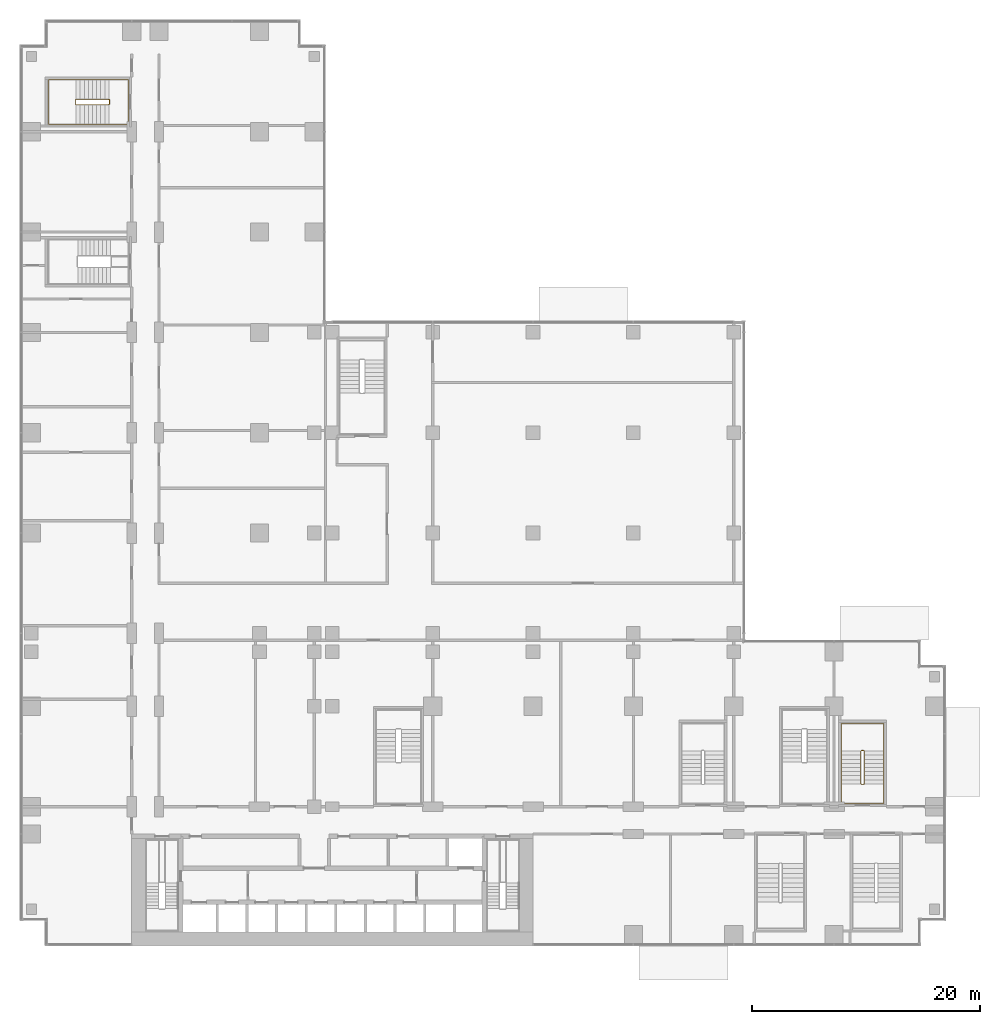
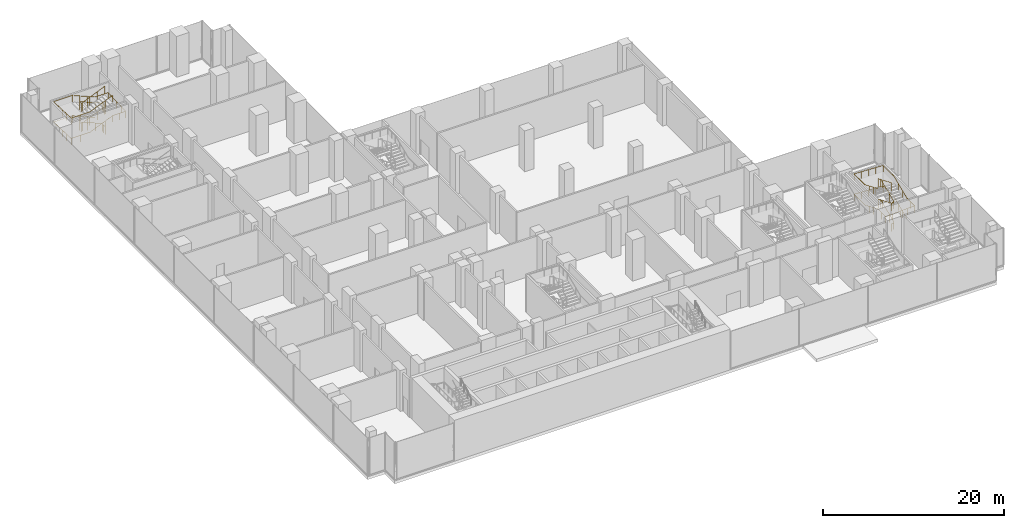
# One storey, part 30 of 30: 4 railings.
"""IFC4 building model written with IfcOpenShell, lengths in metres."""

from ifc_helpers import new_model, si_unit, direction, frame, origin, origin_2d, place, context, subcontext, project, spatial, circle, extrude, material, type_object, element, save


model = new_model("IFC4")

# Units and contexts
model_context = context("Model", 3, precision=1e-05, world=origin(), true_north=direction((0.0, 1.0)))
body_context = subcontext(model_context, "Body", "Model", "MODEL_VIEW")
ifc_project = project(units=[si_unit("LENGTHUNIT", "METRE"), si_unit("AREAUNIT", "SQUARE_METRE"), si_unit("VOLUMEUNIT", "CUBIC_METRE"), si_unit("PLANEANGLEUNIT", "RADIAN"), si_unit("MASSUNIT", "GRAM", prefix="KILO")], contexts=[model_context])

# Site, building, storey
site_placement = place(None, origin())
site = spatial("IfcSite", under=ifc_project, at=site_placement, CompositionType="ELEMENT")
building_placement = place(site_placement, origin())
building = spatial("IfcBuilding", under=site, at=building_placement, Name="Kemantara Hotel Tower", CompositionType="ELEMENT")
storey_placement = place(building_placement, frame((0.0, 0.0, 7.5)))
storey = spatial("IfcBuildingStorey", under=building, at=storey_placement, Name="L01", CompositionType="ELEMENT", Elevation=7.5)

# Railings
ifc_material = material(Name="Stainless steel balustrade", Category="steel")
railing_type_1 = type_object("IfcRailingType", Name="Stair guard 1100 mm", PredefinedType="GUARDRAIL", material=ifc_material)
railing_1_placement = place(storey_placement, frame((73.75, 14.199951171875, 5.5)))
element("IfcRailing", 1, at=railing_1_placement, inside=storey, type_object=railing_type_1, Name="L01 ST5 stair guard 1", PredefinedType="GUARDRAIL", context=body_context, shape_type="SweptSolid", body=[
    extrude(circle(Radius=0.02392578125, at=origin_2d()), frame((0.0, 0.0, 1.076171875), z_axis=(0.0, 0.920547772064, -0.390630003133), x_axis=(-1.0, 0.0, 0.0)), (0.0, 0.0, 1.0), 3.128662109375),
    extrude(circle(Radius=0.02392578125, at=origin_2d()), frame((0.0, 2.880126953125, -0.14599609375), z_axis=(0.297283521722, 0.295833358201, -0.907802363892), x_axis=(-0.705375805398, 0.708833529934, 0.0)), (0.0, 0.0, 1.0), 0.16845703125),
    extrude(circle(Radius=0.02392578125, at=origin_2d()), frame((0.050048828125, 2.929931640625, -0.298828125), z_axis=(1.0, 0.0, 0.0), x_axis=(0.0, 1.0, 0.0)), (0.0, 0.0, 1.0), 0.199951171875),
    extrude(circle(Radius=0.02392578125, at=origin_2d()), frame((0.25, 2.929931640625, -0.298828125), z_axis=(0.708833529934, -0.705375805398, 0.0), x_axis=(0.705375805398, 0.708833529934, 0.0)), (0.0, 0.0, 1.0), 0.070556640625),
    extrude(circle(Radius=0.02392578125, at=origin_2d()), frame((0.300048828125, 2.880126953125, -0.298828125), z_axis=(0.0, -0.920547772064, -0.390630003133), x_axis=(1.0, 0.0, 0.0)), (0.0, 0.0, 1.0), 3.128662109375),
    extrude(circle(Radius=0.02392578125, at=origin_2d()), frame((0.300048828125, 0.0, -1.52099609375), z_axis=(-0.841019323802, -0.168368126347, -0.514138766309), x_axis=(0.196300278283, -0.98054382908, 0.0)), (0.0, 0.0, 1.0), 0.29736328125),
    extrude(circle(Radius=0.02392578125, at=origin_2d()), frame((0.050048828125, -0.050048828125, -1.673828125), z_axis=(1.0, 0.0, 0.0), x_axis=(0.0, 1.0, 0.0)), (0.0, 0.0, 1.0), 0.199951171875),
    extrude(circle(Radius=0.02392578125, at=origin_2d()), frame((0.25, -0.050048828125, -1.673828125), z_axis=(-0.98054382908, 0.196300278283, 0.0), x_axis=(-0.196300278283, -0.98054382908, 0.0)), (0.0, 0.0, 1.0), 0.2548828125),
    extrude(circle(Radius=0.02392578125, at=origin_2d()), frame((0.0, 0.0, -1.673828125), z_axis=(0.0, 0.920547772064, -0.390630003133), x_axis=(-1.0, 0.0, 0.0)), (0.0, 0.0, 1.0), 3.128662109375),
    extrude(circle(Radius=0.02392578125, at=origin_2d()), frame((0.0, 2.880126953125, -2.89599609375), z_axis=(0.297283521722, 0.295833358201, -0.907802363892), x_axis=(-0.705375805398, 0.708833529934, 0.0)), (0.0, 0.0, 1.0), 0.16845703125),
    extrude(circle(Radius=0.02392578125, at=origin_2d()), frame((0.050048828125, 2.929931640625, -3.048828125), z_axis=(1.0, 0.0, 0.0), x_axis=(0.0, 1.0, 0.0)), (0.0, 0.0, 1.0), 0.199951171875),
    extrude(circle(Radius=0.02392578125, at=origin_2d()), frame((0.25, 2.929931640625, -3.048828125), z_axis=(0.708833529934, -0.705375805398, 0.0), x_axis=(0.705375805398, 0.708833529934, 0.0)), (0.0, 0.0, 1.0), 0.070556640625),
    extrude(circle(Radius=0.02392578125, at=origin_2d()), frame((0.300048828125, 2.880126953125, -3.048828125), z_axis=(0.0, -0.920547772064, -0.390630003133), x_axis=(1.0, 0.0, 0.0)), (0.0, 0.0, 1.0), 3.128662109375),
    extrude(circle(Radius=0.02392578125, at=origin_2d()), frame((0.300048828125, 0.0, -4.27099609375), z_axis=(-0.297155754911, -0.297155754911, -0.90741220768), x_axis=(0.707106781187, -0.707106781187, 0.0)), (0.0, 0.0, 1.0), 0.16845703125),
    extrude(circle(Radius=0.02392578125, at=origin_2d()), frame((0.25, -0.050048828125, -4.423828125), z_axis=(-1.0, 0.0, 0.0), x_axis=(0.0, -1.0, 0.0)), (0.0, 0.0, 1.0), 0.199951171875),
    extrude(circle(Radius=0.02099609375, at=origin_2d()), origin(), (0.0, 0.0, 1.0), 1.052001953125),
    extrude(circle(Radius=0.02099609375, at=origin_2d()), frame((0.0, 0.9599609375, -0.407470703125)), (0.0, 0.0, 1.0), 1.052001953125),
    extrude(circle(Radius=0.02099609375, at=origin_2d()), frame((0.0, 1.920166015625, -0.814697265625)), (0.0, 0.0, 1.0), 1.052001953125),
    extrude(circle(Radius=0.02099609375, at=origin_2d()), frame((0.0, 2.880126953125, -1.22216796875)), (0.0, 0.0, 1.0), 1.052001953125),
    extrude(circle(Radius=0.02099609375, at=origin_2d()), frame((0.050048828125, 2.929931640625, -1.375)), (0.0, 0.0, 1.0), 1.052001953125),
    extrude(circle(Radius=0.02099609375, at=origin_2d()), frame((0.25, 2.929931640625, -1.375)), (0.0, 0.0, 1.0), 1.052001953125),
    extrude(circle(Radius=0.02099609375, at=origin_2d()), frame((0.300048828125, 2.880126953125, -1.375)), (0.0, 0.0, 1.0), 1.052001953125),
    extrude(circle(Radius=0.02099609375, at=origin_2d()), frame((0.300048828125, 1.920166015625, -1.782470703125)), (0.0, 0.0, 1.0), 1.052001953125),
    extrude(circle(Radius=0.02099609375, at=origin_2d()), frame((0.300048828125, 0.9599609375, -2.189697265625)), (0.0, 0.0, 1.0), 1.052001953125),
    extrude(circle(Radius=0.02099609375, at=origin_2d()), frame((0.300048828125, 0.0, -2.59716796875)), (0.0, 0.0, 1.0), 1.052001953125),
    extrude(circle(Radius=0.02099609375, at=origin_2d()), frame((0.050048828125, -0.050048828125, -2.75)), (0.0, 0.0, 1.0), 1.052001953125),
    extrude(circle(Radius=0.02099609375, at=origin_2d()), frame((0.25, -0.050048828125, -2.75)), (0.0, 0.0, 1.0), 1.052001953125),
    extrude(circle(Radius=0.02099609375, at=origin_2d()), frame((0.0, 0.0, -2.75)), (0.0, 0.0, 1.0), 1.052001953125),
    extrude(circle(Radius=0.02099609375, at=origin_2d()), frame((0.0, 0.9599609375, -3.157470703125)), (0.0, 0.0, 1.0), 1.052001953125),
    extrude(circle(Radius=0.02099609375, at=origin_2d()), frame((0.0, 1.920166015625, -3.564697265625)), (0.0, 0.0, 1.0), 1.052001953125),
    extrude(circle(Radius=0.02099609375, at=origin_2d()), frame((0.0, 2.880126953125, -3.97216796875)), (0.0, 0.0, 1.0), 1.052001953125),
    extrude(circle(Radius=0.02099609375, at=origin_2d()), frame((0.050048828125, 2.929931640625, -4.125)), (0.0, 0.0, 1.0), 1.052001953125),
    extrude(circle(Radius=0.02099609375, at=origin_2d()), frame((0.25, 2.929931640625, -4.125)), (0.0, 0.0, 1.0), 1.052001953125),
    extrude(circle(Radius=0.02099609375, at=origin_2d()), frame((0.300048828125, 2.880126953125, -4.125)), (0.0, 0.0, 1.0), 1.052001953125),
    extrude(circle(Radius=0.02099609375, at=origin_2d()), frame((0.300048828125, 1.920166015625, -4.532470703125)), (0.0, 0.0, 1.0), 1.052001953125),
    extrude(circle(Radius=0.02099609375, at=origin_2d()), frame((0.300048828125, 0.9599609375, -4.939697265625)), (0.0, 0.0, 1.0), 1.052001953125),
    extrude(circle(Radius=0.02099609375, at=origin_2d()), frame((0.300048828125, 0.0, -5.34716796875)), (0.0, 0.0, 1.0), 1.052001953125),
    extrude(circle(Radius=0.02099609375, at=origin_2d()), frame((0.25, -0.050048828125, -5.5)), (0.0, 0.0, 1.0), 1.052001953125),
    extrude(circle(Radius=0.02099609375, at=origin_2d()), frame((0.050048828125, -0.050048828125, -5.5)), (0.0, 0.0, 1.0), 1.052001953125),
])
railing_2_placement = place(storey_placement, frame((7.800048828125, 73.75, 5.5)))
element("IfcRailing", 2, at=railing_2_placement, inside=storey, type_object=railing_type_1, Name="L01 ST6 stair guard 1", PredefinedType="GUARDRAIL", context=body_context, shape_type="SweptSolid", body=[
    extrude(circle(Radius=0.02392578125, at=origin_2d()), frame((0.0, 0.0, 1.076171875), z_axis=(-0.920547772064, 0.0, -0.390630003133), x_axis=(0.0, -1.0, 0.0)), (0.0, 0.0, 1.0), 3.128662109375),
    extrude(circle(Radius=0.02392578125, at=origin_2d()), frame((-2.880126953125, 0.0, -0.14599609375), z_axis=(-0.295833358201, 0.297283521722, -0.907802363892), x_axis=(-0.708833529934, -0.705375805398, 0.0)), (0.0, 0.0, 1.0), 0.16845703125),
    extrude(circle(Radius=0.02392578125, at=origin_2d()), frame((-2.929931640625, 0.050048828125, -0.298828125), z_axis=(0.0, 1.0, 0.0), x_axis=(-1.0, 0.0, 0.0)), (0.0, 0.0, 1.0), 0.39990234375),
    extrude(circle(Radius=0.02392578125, at=origin_2d()), frame((-2.929931640625, 0.449951171875, -0.298828125), z_axis=(0.705375805398, 0.708833529934, 0.0), x_axis=(-0.708833529934, 0.705375805398, 0.0)), (0.0, 0.0, 1.0), 0.070556640625),
    extrude(circle(Radius=0.02392578125, at=origin_2d()), frame((-2.880126953125, 0.5, -0.298828125), z_axis=(0.920547772064, 0.0, -0.390630003133), x_axis=(0.0, 1.0, 0.0)), (0.0, 0.0, 1.0), 3.128662109375),
    extrude(circle(Radius=0.02392578125, at=origin_2d()), frame((0.0, 0.5, -1.52099609375), z_axis=(0.104742586301, -0.941661397821, -0.319848092803), x_axis=(0.993870574751, 0.110549901152, 0.0)), (0.0, 0.0, 1.0), 0.477783203125),
    extrude(circle(Radius=0.02392578125, at=origin_2d()), frame((0.050048828125, 0.050048828125, -1.673828125), z_axis=(0.0, 1.0, 0.0), x_axis=(-1.0, 0.0, 0.0)), (0.0, 0.0, 1.0), 0.39990234375),
    extrude(circle(Radius=0.02392578125, at=origin_2d()), frame((0.050048828125, 0.449951171875, -1.673828125), z_axis=(-0.110549901152, -0.993870574751, 0.0), x_axis=(0.993870574751, -0.110549901152, 0.0)), (0.0, 0.0, 1.0), 0.45263671875),
    extrude(circle(Radius=0.02392578125, at=origin_2d()), frame((0.0, 0.0, -1.673828125), z_axis=(-0.920547772064, 0.0, -0.390630003133), x_axis=(0.0, -1.0, 0.0)), (0.0, 0.0, 1.0), 3.128662109375),
    extrude(circle(Radius=0.02392578125, at=origin_2d()), frame((-2.880126953125, 0.0, -2.89599609375), z_axis=(-0.295833358201, 0.297283521722, -0.907802363892), x_axis=(-0.708833529934, -0.705375805398, 0.0)), (0.0, 0.0, 1.0), 0.16845703125),
    extrude(circle(Radius=0.02392578125, at=origin_2d()), frame((-2.929931640625, 0.050048828125, -3.048828125), z_axis=(0.0, 1.0, 0.0), x_axis=(-1.0, 0.0, 0.0)), (0.0, 0.0, 1.0), 0.39990234375),
    extrude(circle(Radius=0.02392578125, at=origin_2d()), frame((-2.929931640625, 0.449951171875, -3.048828125), z_axis=(0.705375805398, 0.708833529934, 0.0), x_axis=(-0.708833529934, 0.705375805398, 0.0)), (0.0, 0.0, 1.0), 0.070556640625),
    extrude(circle(Radius=0.02392578125, at=origin_2d()), frame((-2.880126953125, 0.5, -3.048828125), z_axis=(0.920547772064, 0.0, -0.390630003133), x_axis=(0.0, 1.0, 0.0)), (0.0, 0.0, 1.0), 3.128662109375),
    extrude(circle(Radius=0.02392578125, at=origin_2d()), frame((0.0, 0.5, -4.27099609375), z_axis=(0.297155754911, -0.297155754911, -0.90741220768), x_axis=(0.707106781187, 0.707106781187, 0.0)), (0.0, 0.0, 1.0), 0.16845703125),
    extrude(circle(Radius=0.02392578125, at=origin_2d()), frame((0.050048828125, 0.449951171875, -4.423828125), z_axis=(0.0, -1.0, 0.0), x_axis=(1.0, 0.0, 0.0)), (0.0, 0.0, 1.0), 0.39990234375),
    extrude(circle(Radius=0.02099609375, at=origin_2d()), origin(), (0.0, 0.0, 1.0), 1.052001953125),
    extrude(circle(Radius=0.02099609375, at=origin_2d()), frame((-0.9599609375, 0.0, -0.407470703125)), (0.0, 0.0, 1.0), 1.052001953125),
    extrude(circle(Radius=0.02099609375, at=origin_2d()), frame((-1.920166015625, 0.0, -0.814697265625)), (0.0, 0.0, 1.0), 1.052001953125),
    extrude(circle(Radius=0.02099609375, at=origin_2d()), frame((-2.880126953125, 0.0, -1.22216796875)), (0.0, 0.0, 1.0), 1.052001953125),
    extrude(circle(Radius=0.02099609375, at=origin_2d()), frame((-2.929931640625, 0.050048828125, -1.375)), (0.0, 0.0, 1.0), 1.052001953125),
    extrude(circle(Radius=0.02099609375, at=origin_2d()), frame((-2.929931640625, 0.449951171875, -1.375)), (0.0, 0.0, 1.0), 1.052001953125),
    extrude(circle(Radius=0.02099609375, at=origin_2d()), frame((-2.880126953125, 0.5, -1.375)), (0.0, 0.0, 1.0), 1.052001953125),
    extrude(circle(Radius=0.02099609375, at=origin_2d()), frame((-1.920166015625, 0.5, -1.782470703125)), (0.0, 0.0, 1.0), 1.052001953125),
    extrude(circle(Radius=0.02099609375, at=origin_2d()), frame((-0.9599609375, 0.5, -2.189697265625)), (0.0, 0.0, 1.0), 1.052001953125),
    extrude(circle(Radius=0.02099609375, at=origin_2d()), frame((0.0, 0.5, -2.59716796875)), (0.0, 0.0, 1.0), 1.052001953125),
    extrude(circle(Radius=0.02099609375, at=origin_2d()), frame((0.050048828125, 0.050048828125, -2.75)), (0.0, 0.0, 1.0), 1.052001953125),
    extrude(circle(Radius=0.02099609375, at=origin_2d()), frame((0.050048828125, 0.449951171875, -2.75)), (0.0, 0.0, 1.0), 1.052001953125),
    extrude(circle(Radius=0.02099609375, at=origin_2d()), frame((0.0, 0.0, -2.75)), (0.0, 0.0, 1.0), 1.052001953125),
    extrude(circle(Radius=0.02099609375, at=origin_2d()), frame((-0.9599609375, 0.0, -3.157470703125)), (0.0, 0.0, 1.0), 1.052001953125),
    extrude(circle(Radius=0.02099609375, at=origin_2d()), frame((-1.920166015625, 0.0, -3.564697265625)), (0.0, 0.0, 1.0), 1.052001953125),
    extrude(circle(Radius=0.02099609375, at=origin_2d()), frame((-2.880126953125, 0.0, -3.97216796875)), (0.0, 0.0, 1.0), 1.052001953125),
    extrude(circle(Radius=0.02099609375, at=origin_2d()), frame((-2.929931640625, 0.050048828125, -4.125)), (0.0, 0.0, 1.0), 1.052001953125),
    extrude(circle(Radius=0.02099609375, at=origin_2d()), frame((-2.929931640625, 0.449951171875, -4.125)), (0.0, 0.0, 1.0), 1.052001953125),
    extrude(circle(Radius=0.02099609375, at=origin_2d()), frame((-2.880126953125, 0.5, -4.125)), (0.0, 0.0, 1.0), 1.052001953125),
    extrude(circle(Radius=0.02099609375, at=origin_2d()), frame((-1.920166015625, 0.5, -4.532470703125)), (0.0, 0.0, 1.0), 1.052001953125),
    extrude(circle(Radius=0.02099609375, at=origin_2d()), frame((-0.9599609375, 0.5, -4.939697265625)), (0.0, 0.0, 1.0), 1.052001953125),
    extrude(circle(Radius=0.02099609375, at=origin_2d()), frame((0.0, 0.5, -5.34716796875)), (0.0, 0.0, 1.0), 1.052001953125),
    extrude(circle(Radius=0.02099609375, at=origin_2d()), frame((0.050048828125, 0.449951171875, -5.5)), (0.0, 0.0, 1.0), 1.052001953125),
    extrude(circle(Radius=0.02099609375, at=origin_2d()), frame((0.050048828125, 0.050048828125, -5.5)), (0.0, 0.0, 1.0), 1.052001953125),
])
railing_type_2 = type_object("IfcRailingType", Name="Stair handrail 900 mm", PredefinedType="HANDRAIL", material=ifc_material)
railing_3_placement = place(storey_placement, frame((75.75, 14.199951171875, 0.15283203125)))
element("IfcRailing", 3, at=railing_3_placement, inside=storey, type_object=railing_type_2, Name="L01 ST5 stair handrail 1", PredefinedType="HANDRAIL", context=body_context, shape_type="SweptSolid", body=[
    extrude(circle(Radius=0.02392578125, at=origin_2d()), frame((0.0, 0.0, 0.8759765625), z_axis=(0.0, 0.920547772064, 0.390630003133), x_axis=(-1.0, 0.0, 0.0)), (0.0, 0.0, 1.0), 3.128662109375),
    extrude(circle(Radius=0.02392578125, at=origin_2d()), frame((0.0, 2.880126953125, 2.09814453125), z_axis=(0.0, 1.0, 0.0), x_axis=(-1.0, 0.0, 0.0)), (0.0, 0.0, 1.0), 2.39990234375),
    extrude(circle(Radius=0.02392578125, at=origin_2d()), frame((0.0, 5.280029296875, 2.09814453125), z_axis=(-0.999147976703, 0.0, 0.041271305405), x_axis=(0.0, -1.0, 0.0)), (0.0, 0.0, 1.0), 3.703125),
    extrude(circle(Radius=0.02392578125, at=origin_2d()), frame((-3.699951171875, 5.280029296875, 2.2509765625), z_axis=(0.0, -1.0, 0.0), x_axis=(1.0, 0.0, 0.0)), (0.0, 0.0, 1.0), 2.39990234375),
    extrude(circle(Radius=0.02392578125, at=origin_2d()), frame((-3.699951171875, 2.880126953125, 2.2509765625), z_axis=(0.0, -0.920547772064, 0.390630003133), x_axis=(1.0, 0.0, 0.0)), (0.0, 0.0, 1.0), 3.128662109375),
    extrude(circle(Radius=0.02392578125, at=origin_2d()), frame((-3.699951171875, 0.0, 3.47314453125), z_axis=(0.0, -1.0, 0.0), x_axis=(1.0, 0.0, 0.0)), (0.0, 0.0, 1.0), 1.679931640625),
    extrude(circle(Radius=0.02392578125, at=origin_2d()), frame((-3.699951171875, -1.679931640625, 3.47314453125), z_axis=(0.999147976703, 0.0, 0.041271305405), x_axis=(0.0, 1.0, 0.0)), (0.0, 0.0, 1.0), 3.703125),
    extrude(circle(Radius=0.02392578125, at=origin_2d()), frame((0.0, -1.679931640625, 3.6259765625), z_axis=(0.0, 1.0, 0.0), x_axis=(-1.0, 0.0, 0.0)), (0.0, 0.0, 1.0), 1.679931640625),
    extrude(circle(Radius=0.02392578125, at=origin_2d()), frame((0.0, 0.0, 3.6259765625), z_axis=(0.0, 0.920547772064, 0.390630003133), x_axis=(-1.0, 0.0, 0.0)), (0.0, 0.0, 1.0), 3.128662109375),
    extrude(circle(Radius=0.02392578125, at=origin_2d()), frame((0.0, 2.880126953125, 4.84814453125), z_axis=(0.0, 1.0, 0.0), x_axis=(-1.0, 0.0, 0.0)), (0.0, 0.0, 1.0), 2.39990234375),
    extrude(circle(Radius=0.02392578125, at=origin_2d()), frame((0.0, 5.280029296875, 4.84814453125), z_axis=(-0.999147976703, 0.0, 0.041271305405), x_axis=(0.0, -1.0, 0.0)), (0.0, 0.0, 1.0), 3.703125),
    extrude(circle(Radius=0.02392578125, at=origin_2d()), frame((-3.699951171875, 5.280029296875, 5.0009765625), z_axis=(0.0, -1.0, 0.0), x_axis=(1.0, 0.0, 0.0)), (0.0, 0.0, 1.0), 2.39990234375),
    extrude(circle(Radius=0.02392578125, at=origin_2d()), frame((-3.699951171875, 2.880126953125, 5.0009765625), z_axis=(0.0, -0.920547772064, 0.390630003133), x_axis=(1.0, 0.0, 0.0)), (0.0, 0.0, 1.0), 3.128662109375),
    extrude(circle(Radius=0.02099609375, at=origin_2d()), origin(), (0.0, 0.0, 1.0), 0.851806640625),
    extrude(circle(Radius=0.02099609375, at=origin_2d()), frame((0.0, 0.9599609375, 0.407470703125)), (0.0, 0.0, 1.0), 0.851806640625),
    extrude(circle(Radius=0.02099609375, at=origin_2d()), frame((0.0, 1.920166015625, 0.814697265625)), (0.0, 0.0, 1.0), 0.851806640625),
    extrude(circle(Radius=0.02099609375, at=origin_2d()), frame((0.0, 2.880126953125, 1.22216796875)), (0.0, 0.0, 1.0), 0.851806640625),
    extrude(circle(Radius=0.02099609375, at=origin_2d()), frame((0.0, 4.080078125, 1.22216796875)), (0.0, 0.0, 1.0), 0.851806640625),
    extrude(circle(Radius=0.02099609375, at=origin_2d()), frame((0.0, 5.280029296875, 1.22216796875)), (0.0, 0.0, 1.0), 0.851806640625),
    extrude(circle(Radius=0.02099609375, at=origin_2d()), frame((-0.925048828125, 5.280029296875, 1.26025390625)), (0.0, 0.0, 1.0), 0.851806640625),
    extrude(circle(Radius=0.02099609375, at=origin_2d()), frame((-1.85009765625, 5.280029296875, 1.298583984375)), (0.0, 0.0, 1.0), 0.851806640625),
    extrude(circle(Radius=0.02099609375, at=origin_2d()), frame((-2.77490234375, 5.280029296875, 1.3369140625)), (0.0, 0.0, 1.0), 0.851806640625),
    extrude(circle(Radius=0.02099609375, at=origin_2d()), frame((-3.699951171875, 5.280029296875, 1.375)), (0.0, 0.0, 1.0), 0.851806640625),
    extrude(circle(Radius=0.02099609375, at=origin_2d()), frame((-3.699951171875, 4.080078125, 1.375)), (0.0, 0.0, 1.0), 0.851806640625),
    extrude(circle(Radius=0.02099609375, at=origin_2d()), frame((-3.699951171875, 2.880126953125, 1.375)), (0.0, 0.0, 1.0), 0.851806640625),
    extrude(circle(Radius=0.02099609375, at=origin_2d()), frame((-3.699951171875, 1.920166015625, 1.782470703125)), (0.0, 0.0, 1.0), 0.851806640625),
    extrude(circle(Radius=0.02099609375, at=origin_2d()), frame((-3.699951171875, 0.9599609375, 2.189697265625)), (0.0, 0.0, 1.0), 0.851806640625),
    extrude(circle(Radius=0.02099609375, at=origin_2d()), frame((-3.699951171875, 0.0, 2.59716796875)), (0.0, 0.0, 1.0), 0.851806640625),
    extrude(circle(Radius=0.02099609375, at=origin_2d()), frame((-3.699951171875, -0.83984375, 2.59716796875)), (0.0, 0.0, 1.0), 0.851806640625),
    extrude(circle(Radius=0.02099609375, at=origin_2d()), frame((-3.699951171875, -1.679931640625, 2.59716796875)), (0.0, 0.0, 1.0), 0.851806640625),
    extrude(circle(Radius=0.02099609375, at=origin_2d()), frame((-2.77490234375, -1.679931640625, 2.63525390625)), (0.0, 0.0, 1.0), 0.851806640625),
    extrude(circle(Radius=0.02099609375, at=origin_2d()), frame((-1.85009765625, -1.679931640625, 2.673583984375)), (0.0, 0.0, 1.0), 0.851806640625),
    extrude(circle(Radius=0.02099609375, at=origin_2d()), frame((-0.925048828125, -1.679931640625, 2.7119140625)), (0.0, 0.0, 1.0), 0.851806640625),
    extrude(circle(Radius=0.02099609375, at=origin_2d()), frame((0.0, -1.679931640625, 2.75)), (0.0, 0.0, 1.0), 0.851806640625),
    extrude(circle(Radius=0.02099609375, at=origin_2d()), frame((0.0, -0.83984375, 2.75)), (0.0, 0.0, 1.0), 0.851806640625),
    extrude(circle(Radius=0.02099609375, at=origin_2d()), frame((0.0, 0.0, 2.75)), (0.0, 0.0, 1.0), 0.851806640625),
    extrude(circle(Radius=0.02099609375, at=origin_2d()), frame((0.0, 0.9599609375, 3.157470703125)), (0.0, 0.0, 1.0), 0.851806640625),
    extrude(circle(Radius=0.02099609375, at=origin_2d()), frame((0.0, 1.920166015625, 3.564697265625)), (0.0, 0.0, 1.0), 0.851806640625),
    extrude(circle(Radius=0.02099609375, at=origin_2d()), frame((0.0, 2.880126953125, 3.97216796875)), (0.0, 0.0, 1.0), 0.851806640625),
    extrude(circle(Radius=0.02099609375, at=origin_2d()), frame((0.0, 4.080078125, 3.97216796875)), (0.0, 0.0, 1.0), 0.851806640625),
    extrude(circle(Radius=0.02099609375, at=origin_2d()), frame((0.0, 5.280029296875, 3.97216796875)), (0.0, 0.0, 1.0), 0.851806640625),
    extrude(circle(Radius=0.02099609375, at=origin_2d()), frame((-0.925048828125, 5.280029296875, 4.01025390625)), (0.0, 0.0, 1.0), 0.851806640625),
    extrude(circle(Radius=0.02099609375, at=origin_2d()), frame((-1.85009765625, 5.280029296875, 4.048583984375)), (0.0, 0.0, 1.0), 0.851806640625),
    extrude(circle(Radius=0.02099609375, at=origin_2d()), frame((-2.77490234375, 5.280029296875, 4.0869140625)), (0.0, 0.0, 1.0), 0.851806640625),
    extrude(circle(Radius=0.02099609375, at=origin_2d()), frame((-3.699951171875, 5.280029296875, 4.125)), (0.0, 0.0, 1.0), 0.851806640625),
    extrude(circle(Radius=0.02099609375, at=origin_2d()), frame((-3.699951171875, 4.080078125, 4.125)), (0.0, 0.0, 1.0), 0.851806640625),
    extrude(circle(Radius=0.02099609375, at=origin_2d()), frame((-3.699951171875, 2.880126953125, 4.125)), (0.0, 0.0, 1.0), 0.851806640625),
    extrude(circle(Radius=0.02099609375, at=origin_2d()), frame((-3.699951171875, 1.920166015625, 4.532470703125)), (0.0, 0.0, 1.0), 0.851806640625),
    extrude(circle(Radius=0.02099609375, at=origin_2d()), frame((-3.699951171875, 0.9599609375, 4.939697265625)), (0.0, 0.0, 1.0), 0.851806640625),
    extrude(circle(Radius=0.02099609375, at=origin_2d()), frame((-3.699951171875, 0.0, 5.34716796875)), (0.0, 0.0, 1.0), 0.851806640625),
])
railing_4_placement = place(storey_placement, frame((7.800048828125, 75.949951171875, 0.15283203125)))
element("IfcRailing", 4, at=railing_4_placement, inside=storey, type_object=railing_type_2, Name="L01 ST6 stair handrail 1", PredefinedType="HANDRAIL", context=body_context, shape_type="SweptSolid", body=[
    extrude(circle(Radius=0.02392578125, at=origin_2d()), frame((0.0, 0.0, 0.8759765625), z_axis=(-0.920547772064, 0.0, 0.390630003133), x_axis=(0.0, -1.0, 0.0)), (0.0, 0.0, 1.0), 3.128662109375),
    extrude(circle(Radius=0.02392578125, at=origin_2d()), frame((-2.880126953125, 0.0, 2.09814453125), z_axis=(-1.0, 0.0, 0.0), x_axis=(0.0, -1.0, 0.0)), (0.0, 0.0, 1.0), 2.39990234375),
    extrude(circle(Radius=0.02392578125, at=origin_2d()), frame((-5.280029296875, 0.0, 2.09814453125), z_axis=(0.0, -0.999233006938, 0.039158624161), x_axis=(1.0, 0.0, 0.0)), (0.0, 0.0, 1.0), 3.90283203125),
    extrude(circle(Radius=0.02392578125, at=origin_2d()), frame((-5.280029296875, -3.89990234375, 2.2509765625), z_axis=(1.0, 0.0, 0.0), x_axis=(0.0, 1.0, 0.0)), (0.0, 0.0, 1.0), 2.39990234375),
    extrude(circle(Radius=0.02392578125, at=origin_2d()), frame((-2.880126953125, -3.89990234375, 2.2509765625), z_axis=(0.920547772064, 0.0, 0.390630003133), x_axis=(0.0, 1.0, 0.0)), (0.0, 0.0, 1.0), 3.128662109375),
    extrude(circle(Radius=0.02392578125, at=origin_2d()), frame((0.0, -3.89990234375, 3.47314453125), z_axis=(1.0, 0.0, 0.0), x_axis=(0.0, 1.0, 0.0)), (0.0, 0.0, 1.0), 1.679931640625),
    extrude(circle(Radius=0.02392578125, at=origin_2d()), frame((1.679931640625, -3.89990234375, 3.47314453125), z_axis=(0.0, 0.999233006938, 0.039158624161), x_axis=(-1.0, 0.0, 0.0)), (0.0, 0.0, 1.0), 3.90283203125),
    extrude(circle(Radius=0.02392578125, at=origin_2d()), frame((1.679931640625, 0.0, 3.6259765625), z_axis=(-1.0, 0.0, 0.0), x_axis=(0.0, -1.0, 0.0)), (0.0, 0.0, 1.0), 1.679931640625),
    extrude(circle(Radius=0.02392578125, at=origin_2d()), frame((0.0, 0.0, 3.6259765625), z_axis=(-0.920547772064, 0.0, 0.390630003133), x_axis=(0.0, -1.0, 0.0)), (0.0, 0.0, 1.0), 3.128662109375),
    extrude(circle(Radius=0.02392578125, at=origin_2d()), frame((-2.880126953125, 0.0, 4.84814453125), z_axis=(-1.0, 0.0, 0.0), x_axis=(0.0, -1.0, 0.0)), (0.0, 0.0, 1.0), 2.39990234375),
    extrude(circle(Radius=0.02392578125, at=origin_2d()), frame((-5.280029296875, 0.0, 4.84814453125), z_axis=(0.0, -0.999233006938, 0.039158624161), x_axis=(1.0, 0.0, 0.0)), (0.0, 0.0, 1.0), 3.90283203125),
    extrude(circle(Radius=0.02392578125, at=origin_2d()), frame((-5.280029296875, -3.89990234375, 5.0009765625), z_axis=(1.0, 0.0, 0.0), x_axis=(0.0, 1.0, 0.0)), (0.0, 0.0, 1.0), 2.39990234375),
    extrude(circle(Radius=0.02392578125, at=origin_2d()), frame((-2.880126953125, -3.89990234375, 5.0009765625), z_axis=(0.920547772064, 0.0, 0.390630003133), x_axis=(0.0, 1.0, 0.0)), (0.0, 0.0, 1.0), 3.128662109375),
    extrude(circle(Radius=0.02099609375, at=origin_2d()), origin(), (0.0, 0.0, 1.0), 0.851806640625),
    extrude(circle(Radius=0.02099609375, at=origin_2d()), frame((-0.9599609375, 0.0, 0.407470703125)), (0.0, 0.0, 1.0), 0.851806640625),
    extrude(circle(Radius=0.02099609375, at=origin_2d()), frame((-1.920166015625, 0.0, 0.814697265625)), (0.0, 0.0, 1.0), 0.851806640625),
    extrude(circle(Radius=0.02099609375, at=origin_2d()), frame((-2.880126953125, 0.0, 1.22216796875)), (0.0, 0.0, 1.0), 0.851806640625),
    extrude(circle(Radius=0.02099609375, at=origin_2d()), frame((-4.080078125, 0.0, 1.22216796875)), (0.0, 0.0, 1.0), 0.851806640625),
    extrude(circle(Radius=0.02099609375, at=origin_2d()), frame((-5.280029296875, 0.0, 1.22216796875)), (0.0, 0.0, 1.0), 0.851806640625),
    extrude(circle(Radius=0.02099609375, at=origin_2d()), frame((-5.280029296875, -0.97509765625, 1.26025390625)), (0.0, 0.0, 1.0), 0.851806640625),
    extrude(circle(Radius=0.02099609375, at=origin_2d()), frame((-5.280029296875, -1.949951171875, 1.298583984375)), (0.0, 0.0, 1.0), 0.851806640625),
    extrude(circle(Radius=0.02099609375, at=origin_2d()), frame((-5.280029296875, -2.9248046875, 1.3369140625)), (0.0, 0.0, 1.0), 0.851806640625),
    extrude(circle(Radius=0.02099609375, at=origin_2d()), frame((-5.280029296875, -3.89990234375, 1.375)), (0.0, 0.0, 1.0), 0.851806640625),
    extrude(circle(Radius=0.02099609375, at=origin_2d()), frame((-4.080078125, -3.89990234375, 1.375)), (0.0, 0.0, 1.0), 0.851806640625),
    extrude(circle(Radius=0.02099609375, at=origin_2d()), frame((-2.880126953125, -3.89990234375, 1.375)), (0.0, 0.0, 1.0), 0.851806640625),
    extrude(circle(Radius=0.02099609375, at=origin_2d()), frame((-1.920166015625, -3.89990234375, 1.782470703125)), (0.0, 0.0, 1.0), 0.851806640625),
    extrude(circle(Radius=0.02099609375, at=origin_2d()), frame((-0.9599609375, -3.89990234375, 2.189697265625)), (0.0, 0.0, 1.0), 0.851806640625),
    extrude(circle(Radius=0.02099609375, at=origin_2d()), frame((0.0, -3.89990234375, 2.59716796875)), (0.0, 0.0, 1.0), 0.851806640625),
    extrude(circle(Radius=0.02099609375, at=origin_2d()), frame((0.83984375, -3.89990234375, 2.59716796875)), (0.0, 0.0, 1.0), 0.851806640625),
    extrude(circle(Radius=0.02099609375, at=origin_2d()), frame((1.679931640625, -3.89990234375, 2.59716796875)), (0.0, 0.0, 1.0), 0.851806640625),
    extrude(circle(Radius=0.02099609375, at=origin_2d()), frame((1.679931640625, -2.9248046875, 2.63525390625)), (0.0, 0.0, 1.0), 0.851806640625),
    extrude(circle(Radius=0.02099609375, at=origin_2d()), frame((1.679931640625, -1.949951171875, 2.673583984375)), (0.0, 0.0, 1.0), 0.851806640625),
    extrude(circle(Radius=0.02099609375, at=origin_2d()), frame((1.679931640625, -0.97509765625, 2.7119140625)), (0.0, 0.0, 1.0), 0.851806640625),
    extrude(circle(Radius=0.02099609375, at=origin_2d()), frame((1.679931640625, 0.0, 2.75)), (0.0, 0.0, 1.0), 0.851806640625),
    extrude(circle(Radius=0.02099609375, at=origin_2d()), frame((0.83984375, 0.0, 2.75)), (0.0, 0.0, 1.0), 0.851806640625),
    extrude(circle(Radius=0.02099609375, at=origin_2d()), frame((0.0, 0.0, 2.75)), (0.0, 0.0, 1.0), 0.851806640625),
    extrude(circle(Radius=0.02099609375, at=origin_2d()), frame((-0.9599609375, 0.0, 3.157470703125)), (0.0, 0.0, 1.0), 0.851806640625),
    extrude(circle(Radius=0.02099609375, at=origin_2d()), frame((-1.920166015625, 0.0, 3.564697265625)), (0.0, 0.0, 1.0), 0.851806640625),
    extrude(circle(Radius=0.02099609375, at=origin_2d()), frame((-2.880126953125, 0.0, 3.97216796875)), (0.0, 0.0, 1.0), 0.851806640625),
    extrude(circle(Radius=0.02099609375, at=origin_2d()), frame((-4.080078125, 0.0, 3.97216796875)), (0.0, 0.0, 1.0), 0.851806640625),
    extrude(circle(Radius=0.02099609375, at=origin_2d()), frame((-5.280029296875, 0.0, 3.97216796875)), (0.0, 0.0, 1.0), 0.851806640625),
    extrude(circle(Radius=0.02099609375, at=origin_2d()), frame((-5.280029296875, -0.97509765625, 4.01025390625)), (0.0, 0.0, 1.0), 0.851806640625),
    extrude(circle(Radius=0.02099609375, at=origin_2d()), frame((-5.280029296875, -1.949951171875, 4.048583984375)), (0.0, 0.0, 1.0), 0.851806640625),
    extrude(circle(Radius=0.02099609375, at=origin_2d()), frame((-5.280029296875, -2.9248046875, 4.0869140625)), (0.0, 0.0, 1.0), 0.851806640625),
    extrude(circle(Radius=0.02099609375, at=origin_2d()), frame((-5.280029296875, -3.89990234375, 4.125)), (0.0, 0.0, 1.0), 0.851806640625),
    extrude(circle(Radius=0.02099609375, at=origin_2d()), frame((-4.080078125, -3.89990234375, 4.125)), (0.0, 0.0, 1.0), 0.851806640625),
    extrude(circle(Radius=0.02099609375, at=origin_2d()), frame((-2.880126953125, -3.89990234375, 4.125)), (0.0, 0.0, 1.0), 0.851806640625),
    extrude(circle(Radius=0.02099609375, at=origin_2d()), frame((-1.920166015625, -3.89990234375, 4.532470703125)), (0.0, 0.0, 1.0), 0.851806640625),
    extrude(circle(Radius=0.02099609375, at=origin_2d()), frame((-0.9599609375, -3.89990234375, 4.939697265625)), (0.0, 0.0, 1.0), 0.851806640625),
    extrude(circle(Radius=0.02099609375, at=origin_2d()), frame((0.0, -3.89990234375, 5.34716796875)), (0.0, 0.0, 1.0), 0.851806640625),
])

save(model, "model.ifc")
